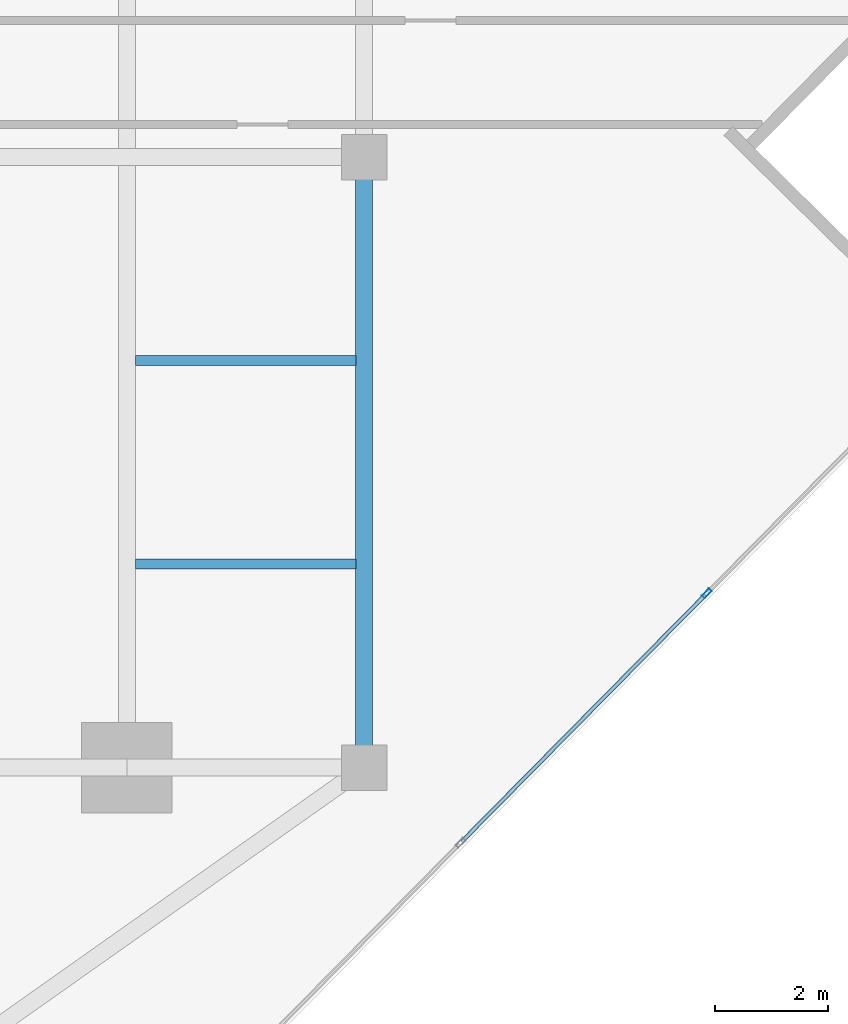
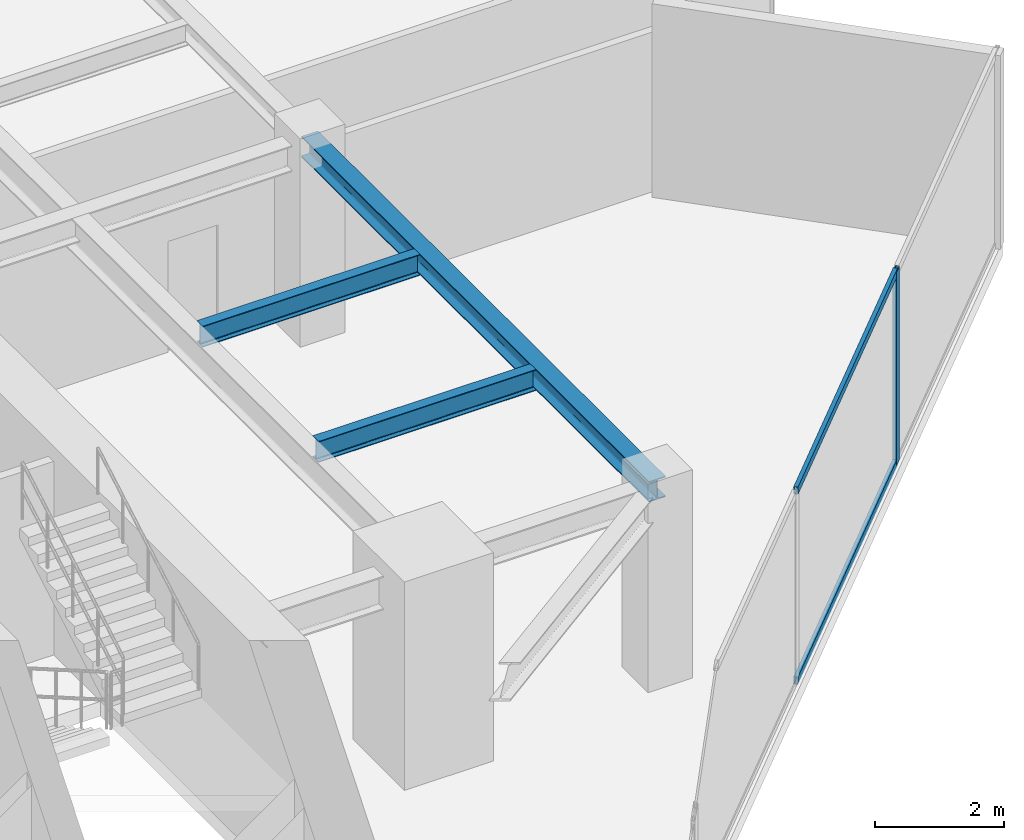
# One storey, part 10 of 24: 3 beams, 3 members, 1 element without a shape of its own.
"""IFC4 building model written with IfcOpenShell, lengths in metres."""

from ifc_helpers import new_model, si_unit, direction, frame, origin, origin_2d, place, context, subcontext, project, spatial, hollow_rectangle, i_section, extrude, source, transform, mapped, material, material_profile, profile_set, type_object, type_shapes, element, aggregate, save


model = new_model("IFC4")

# Units and contexts
model_context = context("Model", 3, precision=1e-05, world=origin(), true_north=direction((0.0, 1.0)))
body_context = subcontext(model_context, "Body", "Model", "MODEL_VIEW")
ifc_project = project(units=[si_unit("LENGTHUNIT", "METRE"), si_unit("AREAUNIT", "SQUARE_METRE"), si_unit("VOLUMEUNIT", "CUBIC_METRE"), si_unit("PLANEANGLEUNIT", "RADIAN"), si_unit("MASSUNIT", "GRAM", prefix="KILO")], contexts=[model_context])

# Site, building, storey
site_placement = place(None, origin())
site = spatial("IfcSite", under=ifc_project, at=site_placement, CompositionType="ELEMENT")
building_placement = place(site_placement, origin())
building = spatial("IfcBuilding", under=site, at=building_placement, Name="Krantzveldt Concourse Tower", CompositionType="ELEMENT")
storey_placement = place(building_placement, frame((0.0, 0.0, 234.949951171875)))
storey = spatial("IfcBuildingStorey", under=building, at=storey_placement, Name="L57", CompositionType="ELEMENT", Elevation=234.949951171875)

# Beams
ifc_material_1 = material(Name="Steel S355JR", Category="steel")
ifc_material_profile_1 = material_profile(ifc_material_1, i_section(OverallWidth=0.300048828125, OverallDepth=0.389892578125, WebThickness=0.010986328125, FlangeThickness=0.01904296875, FilletRadius=0.027099609375, at=origin_2d()), Name="Steel S355JR", Category="steel")
ifc_profile_set_1 = profile_set([ifc_material_profile_1], Name="Steel S355JR - HEA 400")
beam_type_1 = type_object("IfcBeamType", Name="BM-SP-HEA400", PredefinedType="SPANDREL", material=ifc_profile_set_1)
shared_shape_1 = source(origin(), body_context, "Body", "SweptSolid", [
    extrude(i_section(OverallWidth=0.300048828125, OverallDepth=0.389892578125, WebThickness=0.010986328125, FlangeThickness=0.01904296875, FilletRadius=0.027099609375, at=origin_2d()), origin(), (0.0, 0.0, 1.0), 10.800048828125),
])
type_shapes(beam_type_1, [shared_shape_1])
beam_placement = place(storey_placement, frame((51.0, 26.699951171875, 3.47509765625), z_axis=(0.0, -1.0, 0.0), x_axis=(1.0, 0.0, 0.0)))
element("IfcBeam", 1, at=beam_placement, inside=storey, type_object=beam_type_1, Name="L57 Tower Girder SP-R07", PredefinedType="SPANDREL", context=body_context, shape_type="MappedRepresentation", body=[
    mapped(shared_shape_1, transform((0.0, 0.0, 0.0), x_axis=(1.0, 0.0, 0.0), y_axis=(0.0, 1.0, 0.0), z_axis=(0.0, 0.0, 1.0), scale=1.0)),
])
ifc_material_profile_2 = material_profile(ifc_material_1, i_section(OverallWidth=0.179931640625, OverallDepth=0.39990234375, WebThickness=0.008544921875, FlangeThickness=0.013427734375, FilletRadius=0.02099609375, at=origin_2d()), Name="Steel S355JR", Category="steel")
ifc_profile_set_2 = profile_set([ifc_material_profile_2], Name="Steel S355JR - IPE 400")
beam_type_2 = type_object("IfcBeamType", Name="BM-J-IPE400", PredefinedType="JOIST", material=ifc_profile_set_2)
shared_shape_2 = source(origin(), body_context, "Body", "SweptSolid", [
    extrude(i_section(OverallWidth=0.179931640625, OverallDepth=0.39990234375, WebThickness=0.008544921875, FlangeThickness=0.013427734375, FilletRadius=0.02099609375, at=origin_2d()), origin(), (0.0, 0.0, 1.0), 3.900146484375),
])
type_shapes(beam_type_2, [shared_shape_2])
for number, where, z_axis, x_axis, name in (
    (2, (46.949951171875, 19.5, 3.469970703125), (1.0, 0.0, 0.0), (0.0, 1.0, 0.0), "L57 Secondary Floor Joist JE-1"),
    (3, (46.949951171875, 23.10009765625, 3.469970703125), (1.0, 0.0, 0.0), (0.0, 1.0, 0.0), "L57 Secondary Floor Joist JE-2"),
):
    element("IfcBeam", number, at=place(storey_placement, frame(where, z_axis=z_axis, x_axis=x_axis)), inside=storey, type_object=beam_type_2, Name=name, PredefinedType="JOIST", context=body_context, shape_type="MappedRepresentation", body=[
        mapped(shared_shape_2, transform((0.0, 0.0, 0.0), x_axis=(1.0, 0.0, 0.0), y_axis=(0.0, 1.0, 0.0), z_axis=(0.0, 0.0, 1.0), scale=1.0)),
    ])

# Curtain wall, members
ifc_material_2 = material(Name="Anodised aluminium 6063-T6", Category="aluminium")
curtain_wall_type = type_object("IfcCurtainWallType", Name="CW3", PredefinedType="USERDEFINED", material=ifc_material_2)
curtain_wall_placement = place(storey_placement, origin())
curtain_wall = element("IfcCurtainWall", 4, at=curtain_wall_placement, inside=storey, type_object=curtain_wall_type, Name="CW-L57-F07", ObjectType="UNITISED CURTAIN WALL", PredefinedType="USERDEFINED")
ifc_material_profile_3 = material_profile(ifc_material_2, hollow_rectangle(XDim=0.070068359375, YDim=0.179931640625, WallThickness=0.0048828125, at=origin_2d()), Name="Anodised aluminium 6063-T6", Category="aluminium")
ifc_profile_set_3 = profile_set([ifc_material_profile_3], Name="Anodised aluminium 6063-T6 - ALU-MULL 180x70x5")
member_type_1 = type_object("IfcMemberType", Name="CW-MUL-180", PredefinedType="MULLION", material=ifc_profile_set_3)
shared_shape_3 = source(origin(), body_context, "Body", "SweptSolid", [
    extrude(hollow_rectangle(XDim=0.070068359375, YDim=0.179931640625, WallThickness=0.0048828125, at=origin_2d()), origin(), (0.0, 0.0, 1.0), 3.670166015625),
])
type_shapes(member_type_1, [shared_shape_3])
member_1_placement = place(storey_placement, frame((57.05908203125, 18.981689453125, 0.0), z_axis=(0.0, 0.0, 1.0), x_axis=(-0.711719700179, 0.702463570854, 0.0)))
member_1 = element("IfcMember", 5, at=member_1_placement, type_object=member_type_1, Name="CW-Z34 mullion 5", PredefinedType="MULLION", context=body_context, shape_type="MappedRepresentation", body=[
    mapped(shared_shape_3, transform((0.0, 0.0, 0.0), x_axis=(1.0, 0.0, 0.0), y_axis=(0.0, 1.0, 0.0), z_axis=(0.0, 0.0, 1.0), scale=1.0)),
])
ifc_material_profile_4 = material_profile(ifc_material_2, hollow_rectangle(XDim=0.070068359375, YDim=0.139892578125, WallThickness=0.0048828125, at=origin_2d()), Name="Anodised aluminium 6063-T6", Category="aluminium")
ifc_profile_set_4 = profile_set([ifc_material_profile_4], Name="Anodised aluminium 6063-T6 - ALU-TRAN 140x70x5")
member_type_2 = type_object("IfcMemberType", Name="CW-TRN-150", PredefinedType="USERDEFINED", material=ifc_profile_set_4)
shared_shape_4 = source(origin(), body_context, "Body", "SweptSolid", [
    extrude(hollow_rectangle(XDim=0.070068359375, YDim=0.139892578125, WallThickness=0.0048828125, at=origin_2d()), origin(), (0.0, 0.0, 1.0), 6.1298828125),
])
type_shapes(member_type_2, [shared_shape_4])
member_2_placement = place(storey_placement, frame((52.728515625, 14.593994140625, 0.03515625), z_axis=(0.702451561468, 0.71173155318, 0.0), x_axis=(-0.71173155318, 0.702451561468, 0.0)))
member_2 = element("IfcMember", 6, at=member_2_placement, type_object=member_type_2, Name="CW-Z34 transom 4.1", ObjectType="TRANSOM", PredefinedType="USERDEFINED", context=body_context, shape_type="MappedRepresentation", body=[
    mapped(shared_shape_4, transform((0.0, 0.0, 0.0), x_axis=(1.0, 0.0, 0.0), y_axis=(0.0, 1.0, 0.0), z_axis=(0.0, 0.0, 1.0), scale=1.0)),
])
member_3_placement = place(storey_placement, frame((52.728515625, 14.593994140625, 3.635009765625), z_axis=(0.702451561468, 0.71173155318, 0.0), x_axis=(-0.71173155318, 0.702451561468, 0.0)))
member_3 = element("IfcMember", 7, at=member_3_placement, type_object=member_type_2, Name="CW-Z34 transom 4.2", ObjectType="TRANSOM", PredefinedType="USERDEFINED", context=body_context, shape_type="MappedRepresentation", body=[
    mapped(shared_shape_4, transform((0.0, 0.0, 0.0), x_axis=(1.0, 0.0, 0.0), y_axis=(0.0, 1.0, 0.0), z_axis=(0.0, 0.0, 1.0), scale=1.0)),
])
aggregate(curtain_wall, [member_1, member_2, member_3])

save(model, "model.ifc")
